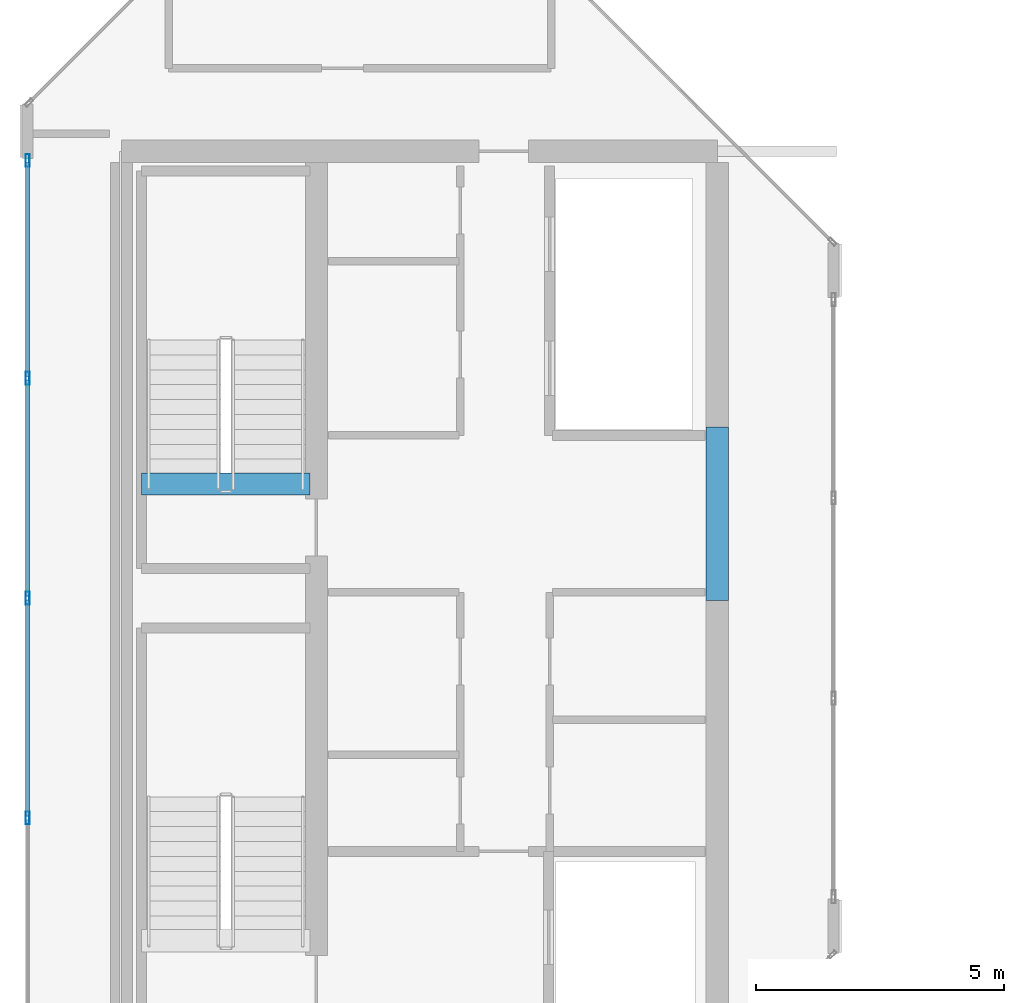
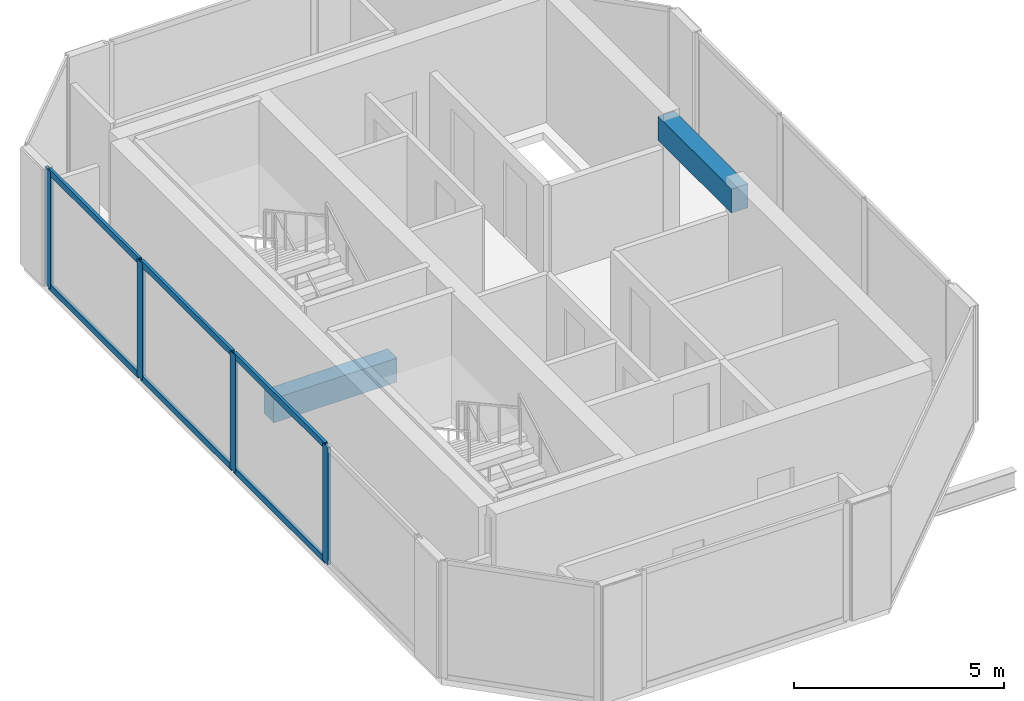
# One storey, part 4 of 28: 10 members, 2 beams, 1 element without a shape of its own.
"""IFC4 building model written with IfcOpenShell, lengths in metres."""

from ifc_helpers import new_model, si_unit, direction, frame, origin, origin_2d, place, context, subcontext, project, spatial, rectangle, hollow_rectangle, extrude, material, layer, layer_set, material_profile, profile_set, type_object, element, aggregate, save


model = new_model("IFC4")

# Units and contexts
model_context = context("Model", 3, precision=1e-05, world=origin(), true_north=direction((0.0, 1.0)))
body_context = subcontext(model_context, "Body", "Model", "MODEL_VIEW")
ifc_project = project(units=[si_unit("LENGTHUNIT", "METRE"), si_unit("AREAUNIT", "SQUARE_METRE"), si_unit("VOLUMEUNIT", "CUBIC_METRE"), si_unit("PLANEANGLEUNIT", "RADIAN"), si_unit("MASSUNIT", "GRAM", prefix="KILO")], contexts=[model_context])

# Site, building, storey
site_placement = place(None, origin())
site = spatial("IfcSite", under=ifc_project, at=site_placement, CompositionType="ELEMENT")
building_placement = place(site_placement, origin())
building = spatial("IfcBuilding", under=site, at=building_placement, Name="Tanjung Sevakor Pilgrim Tower", CompositionType="ELEMENT")
storey_placement = place(building_placement, frame((0.0, 0.0, 246.179931640625)))
storey = spatial("IfcBuildingStorey", under=building, at=storey_placement, Name="L69", CompositionType="ELEMENT", Elevation=246.179931640625)

# Beams
ifc_material_1 = material(Name="Concrete C60/75", Category="concrete")
ifc_material_profile_1 = material_profile(ifc_material_1, rectangle(XDim=0.449951171875, YDim=0.699951171875, at=origin_2d()))
ifc_profile_set_1 = profile_set([ifc_material_profile_1], Name="Concrete C60/75")
beam_type = type_object("IfcBeamType", Name="BM-B-LN3-RC-BM_450x700", PredefinedType="LINTEL", material=ifc_profile_set_1)
beam_1_placement = place(storey_placement, frame((36.0, 33.550048828125, 3.06005859375), z_axis=(0.0, 1.0, 0.0), x_axis=(-1.0, 0.0, 0.0)))
element("IfcBeam", 1, at=beam_1_placement, inside=storey, type_object=beam_type, Name="L69 W Core Coupling Lintel", PredefinedType="LINTEL", context=body_context, shape_type="SweptSolid", body=[
    extrude(rectangle(XDim=0.449951171875, YDim=0.699951171875, at=origin_2d()), origin(), (0.0, 0.0, 1.0), 3.5),
])
beam_2_placement = place(storey_placement, frame((24.39990234375, 35.89990234375, -0.349853515625), z_axis=(1.0, 0.0, 0.0), x_axis=(0.0, 1.0, 0.0)))
element("IfcBeam", 2, at=beam_2_placement, inside=storey, type_object=beam_type, Name="L69 TS-W2 Stair Threshold Beam", PredefinedType="LINTEL", context=body_context, shape_type="SweptSolid", body=[
    extrude(rectangle(XDim=0.449951171875, YDim=0.699951171875, at=origin_2d()), origin(), (0.0, 0.0, 1.0), 3.400146484375),
])

# Curtain wall, members
ifc_material_2 = material(Name="Aluminium 6063-T6 and Low-E Glass", Category="aluminium")
ifc_layer = layer(ifc_material_2, 0.199951171875)
ifc_layer_set = layer_set([ifc_layer], Name="CW-SYS-CRNW")
curtain_wall_type = type_object("IfcCurtainWallType", Name="CW-SYS-CRNW", PredefinedType="NOTDEFINED", material=ifc_layer_set)
curtain_wall_placement = place(storey_placement, origin())
curtain_wall = element("IfcCurtainWall", 3, at=curtain_wall_placement, inside=storey, type_object=curtain_wall_type, Name="L69 Curtain Wall CW-CRN-L69-WEST-6-1", PredefinedType="NOTDEFINED")
ifc_material_3 = material(Name="Aluminium 6063-T6", Category="aluminium")
ifc_material_profile_2 = material_profile(ifc_material_3, hollow_rectangle(XDim=0.080078125, YDim=0.260009765625, WallThickness=0.0048828125, at=origin_2d()))
ifc_profile_set_2 = profile_set([ifc_material_profile_2], Name="Aluminium 6063-T6")
member_type_1 = type_object("IfcMemberType", Name="TYPE-CWM-3", PredefinedType="MULLION", material=ifc_profile_set_2)
member_1_placement = place(storey_placement, frame((22.110107421875, 42.414306640625, 0.0), z_axis=(0.0, 0.0, 1.0), x_axis=(1.0, 0.0, 0.0)))
member_1 = element("IfcMember", 4, at=member_1_placement, type_object=member_type_1, Name="CW-CRW mullion 1", PredefinedType="MULLION", context=body_context, shape_type="SweptSolid", body=[
    extrude(hollow_rectangle(XDim=0.080078125, YDim=0.260009765625, WallThickness=0.0048828125, at=origin_2d()), origin(), (0.0, 0.0, 1.0), 3.41015625),
])
member_2_placement = place(storey_placement, frame((22.110107421875, 38.027099609375, 0.0), z_axis=(0.0, 0.0, 1.0), x_axis=(1.0, 0.0, 0.0)))
member_2 = element("IfcMember", 5, at=member_2_placement, type_object=member_type_1, Name="CW-CRW mullion 2", PredefinedType="MULLION", context=body_context, shape_type="SweptSolid", body=[
    extrude(hollow_rectangle(XDim=0.080078125, YDim=0.260009765625, WallThickness=0.0048828125, at=origin_2d()), origin(), (0.0, 0.0, 1.0), 3.41015625),
])
member_3_placement = place(storey_placement, frame((22.110107421875, 33.60009765625, 0.0), z_axis=(0.0, 0.0, 1.0), x_axis=(1.0, 0.0, 0.0)))
member_3 = element("IfcMember", 6, at=member_3_placement, type_object=member_type_1, Name="CW-CRW mullion 3", PredefinedType="MULLION", context=body_context, shape_type="SweptSolid", body=[
    extrude(hollow_rectangle(XDim=0.080078125, YDim=0.260009765625, WallThickness=0.0048828125, at=origin_2d()), origin(), (0.0, 0.0, 1.0), 3.41015625),
])
member_4_placement = place(storey_placement, frame((22.110107421875, 29.1728515625, 0.0), z_axis=(0.0, 0.0, 1.0), x_axis=(1.0, 0.0, 0.0)))
member_4 = element("IfcMember", 7, at=member_4_placement, type_object=member_type_1, Name="CW-CRW mullion 4", PredefinedType="MULLION", context=body_context, shape_type="SweptSolid", body=[
    extrude(hollow_rectangle(XDim=0.080078125, YDim=0.260009765625, WallThickness=0.0048828125, at=origin_2d()), origin(), (0.0, 0.0, 1.0), 3.41015625),
])
ifc_material_4 = material(Name="Aluminium 6063-T6", Category="aluminium")
ifc_material_profile_3 = material_profile(ifc_material_4, hollow_rectangle(XDim=0.080078125, YDim=0.179931640625, WallThickness=0.0048828125, at=origin_2d()))
ifc_profile_set_3 = profile_set([ifc_material_profile_3], Name="Aluminium 6063-T6")
member_type_2 = type_object("IfcMemberType", Name="TYPE-CWT-3", PredefinedType="USERDEFINED", material=ifc_profile_set_3)
member_5_placement = place(storey_placement, frame((22.110107421875, 42.37451171875, 0.0400390625), z_axis=(0.0, -1.0, 0.0), x_axis=(1.0, 0.0, 0.0)))
member_5 = element("IfcMember", 8, at=member_5_placement, type_object=member_type_2, Name="CW-CRW transom 1.1", ObjectType="TRANSOM", PredefinedType="USERDEFINED", context=body_context, shape_type="SweptSolid", body=[
    extrude(hollow_rectangle(XDim=0.080078125, YDim=0.179931640625, WallThickness=0.0048828125, at=origin_2d()), origin(), (0.0, 0.0, 1.0), 4.307373046875),
])
member_6_placement = place(storey_placement, frame((22.110107421875, 42.37451171875, 3.3701171875), z_axis=(0.0, -1.0, 0.0), x_axis=(1.0, 0.0, 0.0)))
member_6 = element("IfcMember", 9, at=member_6_placement, type_object=member_type_2, Name="CW-CRW transom 1.2", ObjectType="TRANSOM", PredefinedType="USERDEFINED", context=body_context, shape_type="SweptSolid", body=[
    extrude(hollow_rectangle(XDim=0.080078125, YDim=0.179931640625, WallThickness=0.0048828125, at=origin_2d()), origin(), (0.0, 0.0, 1.0), 4.307373046875),
])
member_7_placement = place(storey_placement, frame((22.110107421875, 37.9873046875, 0.0400390625), z_axis=(0.0, -1.0, 0.0), x_axis=(1.0, 0.0, 0.0)))
member_7 = element("IfcMember", 10, at=member_7_placement, type_object=member_type_2, Name="CW-CRW transom 2.1", ObjectType="TRANSOM", PredefinedType="USERDEFINED", context=body_context, shape_type="SweptSolid", body=[
    extrude(hollow_rectangle(XDim=0.080078125, YDim=0.179931640625, WallThickness=0.0048828125, at=origin_2d()), origin(), (0.0, 0.0, 1.0), 4.347412109375),
])
member_8_placement = place(storey_placement, frame((22.110107421875, 37.9873046875, 3.3701171875), z_axis=(0.0, -1.0, 0.0), x_axis=(1.0, 0.0, 0.0)))
member_8 = element("IfcMember", 11, at=member_8_placement, type_object=member_type_2, Name="CW-CRW transom 2.2", ObjectType="TRANSOM", PredefinedType="USERDEFINED", context=body_context, shape_type="SweptSolid", body=[
    extrude(hollow_rectangle(XDim=0.080078125, YDim=0.179931640625, WallThickness=0.0048828125, at=origin_2d()), origin(), (0.0, 0.0, 1.0), 4.347412109375),
])
member_9_placement = place(storey_placement, frame((22.110107421875, 33.56005859375, 0.0400390625), z_axis=(0.0, -1.0, 0.0), x_axis=(1.0, 0.0, 0.0)))
member_9 = element("IfcMember", 12, at=member_9_placement, type_object=member_type_2, Name="CW-CRW transom 3.1", ObjectType="TRANSOM", PredefinedType="USERDEFINED", context=body_context, shape_type="SweptSolid", body=[
    extrude(hollow_rectangle(XDim=0.080078125, YDim=0.179931640625, WallThickness=0.0048828125, at=origin_2d()), origin(), (0.0, 0.0, 1.0), 4.34716796875),
])
member_10_placement = place(storey_placement, frame((22.110107421875, 33.56005859375, 3.3701171875), z_axis=(0.0, -1.0, 0.0), x_axis=(1.0, 0.0, 0.0)))
member_10 = element("IfcMember", 13, at=member_10_placement, type_object=member_type_2, Name="CW-CRW transom 3.2", ObjectType="TRANSOM", PredefinedType="USERDEFINED", context=body_context, shape_type="SweptSolid", body=[
    extrude(hollow_rectangle(XDim=0.080078125, YDim=0.179931640625, WallThickness=0.0048828125, at=origin_2d()), origin(), (0.0, 0.0, 1.0), 4.34716796875),
])
aggregate(curtain_wall, [member_1, member_2, member_3, member_4, member_5, member_6, member_7, member_8, member_9, member_10])

save(model, "model.ifc")
